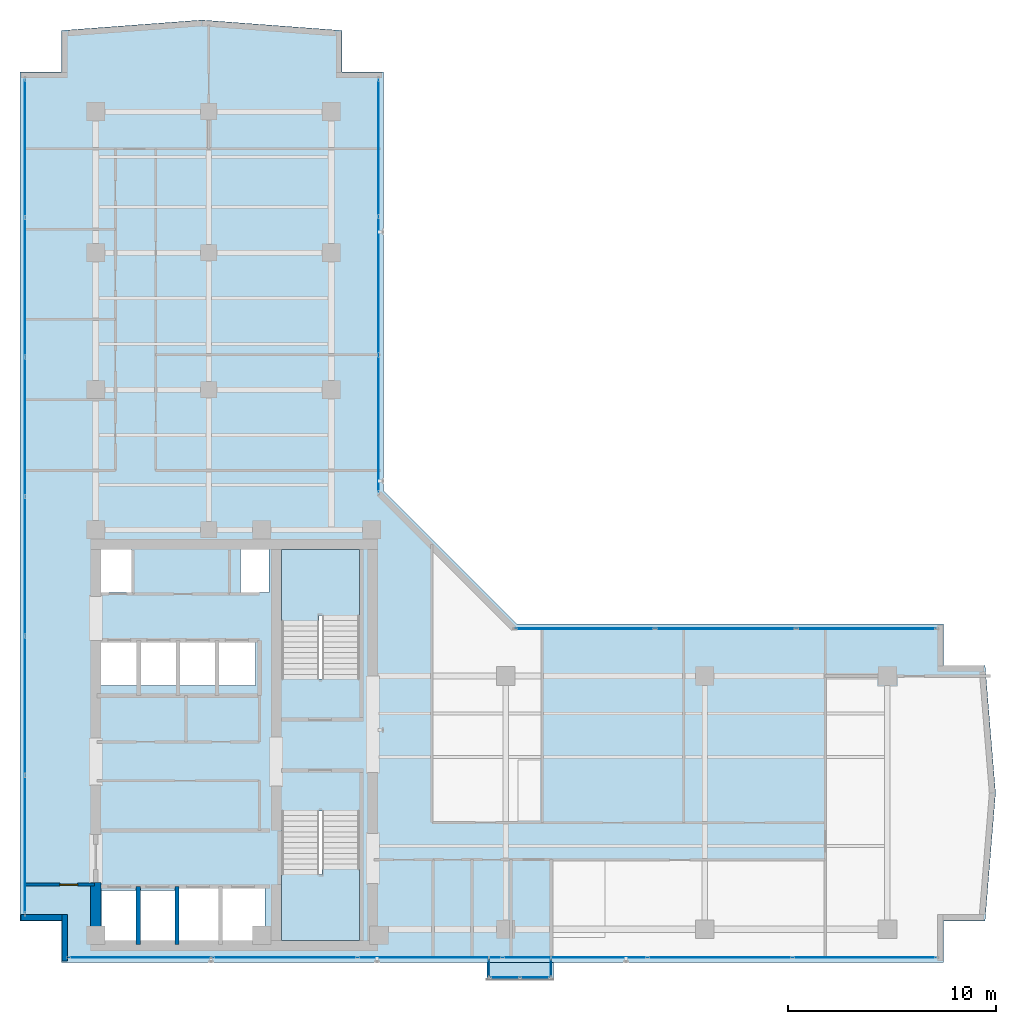
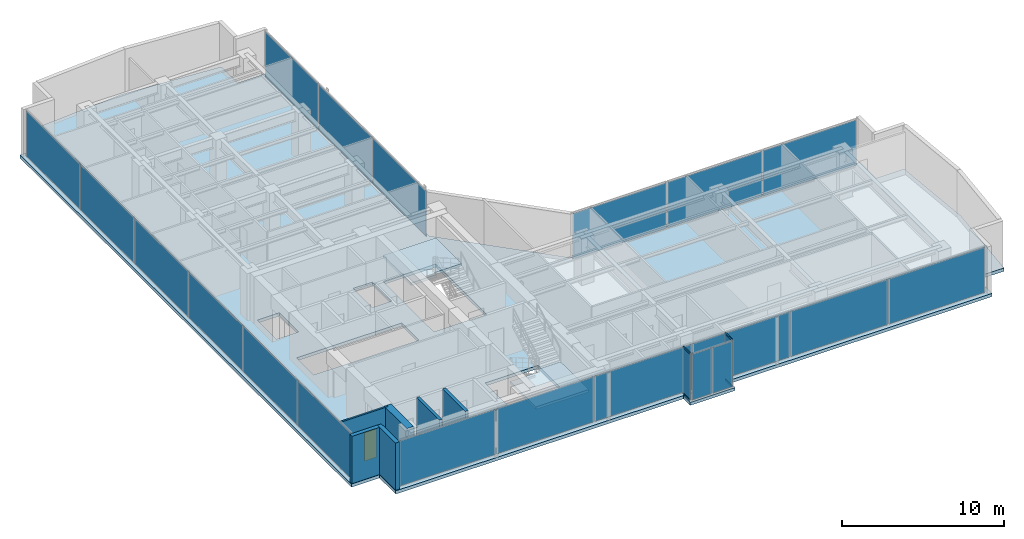
# One storey, part 16 of 24: 22 plates, 6 walls, 4 members, 4 slabs, 1 door, 1 opening, 9 elements without a shape of their own.
"""IFC4 building model written with IfcOpenShell, lengths in metres."""

import ifcopenshell
import ifcopenshell.guid

model = None  # the IFC model being written
_history = None  # IfcOwnerHistory: only IFC2X3 demands one
_inside = {}  # id of a spatial element -> (the spatial element, [elements in it])
_under = {}  # id of a project, library or spatial element -> (it, [spatial elements below it])
_declared = {}  # id of a project -> (the project, [libraries it declares])
_typed = {}  # id of a type object -> (the type object, [elements of that type])
_made_of = {}  # id of a material, layer set ... -> (it, [elements and type objects made of it])


def new_model(schema):
    """Start an empty IFC model of exactly this schema.

    Asked for "IFC4X3", IfcOpenShell would pick the latest addendum, in which some entities
    have other attributes; the version numbers below select the first issue.
    IFC2X3 requires an IfcOwnerHistory on every rooted entity: one is made here for all.
    """
    global model, _history
    if schema == "IFC4X3":
        model = ifcopenshell.file(schema_version=(4, 3, 0, 0))
    else:
        model = ifcopenshell.file(schema=schema)
    _inside.clear()
    _under.clear()
    _declared.clear()
    _typed.clear()
    _made_of.clear()
    _history = None
    if model.schema == "IFC2X3":
        org = make("IfcOrganization", Name="unknown")
        user = make(
            "IfcPersonAndOrganization",
            ThePerson=make("IfcPerson", FamilyName="unknown"),
            TheOrganization=org,
        )
        app = make(
            "IfcApplication",
            ApplicationDeveloper=org,
            Version="unknown",
            ApplicationFullName="unknown",
            ApplicationIdentifier="unknown",
        )
        _history = make(
            "IfcOwnerHistory",
            OwningUser=user,
            OwningApplication=app,
            ChangeAction="ADDED",
            CreationDate=0,
        )
    return model


def make(cls, **values):
    """One entity of the class cls with the attributes given. An attribute that is None is left unset."""
    return model.create_entity(
        cls, **{name: value for name, value in values.items() if value is not None}
    )


def rooted(cls, **values):
    """An entity with a GlobalId (a new one), such as an element, a storey or a relation."""
    return make(cls, GlobalId=ifcopenshell.guid.new(), OwnerHistory=_history, **values)


def si_unit(unit_type, name, prefix=None):
    """IfcSIUnit, for example si_unit("LENGTHUNIT", "METRE", prefix="MILLI")."""
    return make("IfcSIUnit", UnitType=unit_type, Prefix=prefix, Name=name)


def assignment(units):
    """IfcUnitAssignment: the units of a project."""
    return None if units is None else make("IfcUnitAssignment", Units=units)


def point(xyz):
    """IfcCartesianPoint."""
    return None if xyz is None else make("IfcCartesianPoint", Coordinates=xyz)


def direction(xyz):
    """IfcDirection."""
    return None if xyz is None else make("IfcDirection", DirectionRatios=xyz)


def frame(location, z_axis=None, x_axis=None):
    """IfcAxis2Placement3D, a coordinate frame: its origin and axes. An axis left out is left unset."""
    return make(
        "IfcAxis2Placement3D",
        Location=point(location),
        Axis=direction(z_axis),
        RefDirection=direction(x_axis),
    )


def frame_2d(location, x_axis=None):
    """IfcAxis2Placement2D, a coordinate frame in the plane: its origin and x axis."""
    return make(
        "IfcAxis2Placement2D", Location=point(location), RefDirection=direction(x_axis)
    )


def origin():
    """The frame at (0, 0, 0) with its axes left unset."""
    return frame((0.0, 0.0, 0.0))


def origin_with_axes():
    """The frame at (0, 0, 0) with the z axis (0, 0, 1) and the x axis (1, 0, 0) written out."""
    return frame((0.0, 0.0, 0.0), z_axis=(0.0, 0.0, 1.0), x_axis=(1.0, 0.0, 0.0))


def origin_2d():
    """The frame at (0, 0) in the plane with its x axis left unset."""
    return frame_2d((0.0, 0.0))


def place(relative_to, where):
    """IfcLocalPlacement: puts the frame where relative to a parent placement (None: the world)."""
    return make(
        "IfcLocalPlacement", PlacementRelTo=relative_to, RelativePlacement=where
    )


def context(
    kind, dimensions, precision=None, world=None, true_north=None, identifier=None
):
    """IfcGeometricRepresentationContext, for example the 3D "Model" context."""
    return make(
        "IfcGeometricRepresentationContext",
        ContextIdentifier=identifier,
        ContextType=kind,
        CoordinateSpaceDimension=dimensions,
        Precision=precision,
        WorldCoordinateSystem=world,
        TrueNorth=true_north,
    )


def subcontext(parent, identifier, kind, view, scale=None):
    """IfcGeometricRepresentationSubContext, for example "Body" below "Model"."""
    return make(
        "IfcGeometricRepresentationSubContext",
        ContextIdentifier=identifier,
        ContextType=kind,
        ParentContext=parent,
        TargetScale=scale,
        TargetView=view,
    )


def project(units=None, contexts=None):
    """IfcProject with its units and contexts."""
    return rooted(
        "IfcProject",
        Name="project",
        RepresentationContexts=contexts,
        UnitsInContext=assignment(units),
    )


def spatial(cls, under=None, at=None, **own):
    """A site, building, storey or space (cls), placed at a placement, below another one or the project."""
    s = rooted(cls, ObjectPlacement=at, **own)
    if under is not None:
        _under.setdefault(under.id(), (under, []))[1].append(s)
    return s


def polyline(points):
    """IfcPolyline through the points."""
    return make("IfcPolyline", Points=[point(p) for p in points])


def profile(cls, at=None, kind="AREA", **sizes):
    """A parametric profile (cls). Its sizes go by their IFC names, for example OverallWidth=200.0."""
    return make(cls, ProfileType=kind, Position=at, **sizes)


def rectangle(**sizes):
    """IfcRectangleProfileDef."""
    return profile("IfcRectangleProfileDef", **sizes)


def hollow_rectangle(**sizes):
    """IfcRectangleHollowProfileDef."""
    return profile("IfcRectangleHollowProfileDef", **sizes)


def outline(outer, holes=None, kind="AREA"):
    """IfcArbitraryClosedProfileDef: a profile drawn as a closed curve; with holes, ...WithVoids."""
    if holes is None:
        return make("IfcArbitraryClosedProfileDef", ProfileType=kind, OuterCurve=outer)
    return make(
        "IfcArbitraryProfileDefWithVoids",
        ProfileType=kind,
        OuterCurve=outer,
        InnerCurves=holes,
    )


def extrude(swept, where, along, depth):
    """IfcExtrudedAreaSolid: the profile swept, set in the frame where, extruded along a direction by depth."""
    return make(
        "IfcExtrudedAreaSolid",
        SweptArea=swept,
        Position=where,
        ExtrudedDirection=direction(along),
        Depth=depth,
    )


def shape(context_of_items, identifier, shape_type, items):
    """IfcShapeRepresentation: the items that make up one representation, for example the "Body"."""
    return make(
        "IfcShapeRepresentation",
        ContextOfItems=context_of_items,
        RepresentationIdentifier=identifier,
        RepresentationType=shape_type,
        Items=items,
    )


def source(mapping_origin, context_of_items, identifier, shape_type, items):
    """IfcRepresentationMap: a shape defined once, which mapped items show again and again."""
    return make(
        "IfcRepresentationMap",
        MappingOrigin=mapping_origin,
        MappedRepresentation=shape(context_of_items, identifier, shape_type, items),
    )


def transform(
    local_origin,
    x_axis=None,
    y_axis=None,
    z_axis=None,
    scale=None,
    scale2=None,
    scale3=None,
    uniform=True,
):
    """IfcCartesianTransformationOperator3D, or its non-uniform kind. x_axis, y_axis, z_axis: its Axis1, 2, 3."""
    if uniform:
        return make(
            "IfcCartesianTransformationOperator3D",
            Axis1=direction(x_axis),
            Axis2=direction(y_axis),
            LocalOrigin=point(local_origin),
            Scale=scale,
            Axis3=direction(z_axis),
        )
    return make(
        "IfcCartesianTransformationOperator3DnonUniform",
        Axis1=direction(x_axis),
        Axis2=direction(y_axis),
        LocalOrigin=point(local_origin),
        Scale=scale,
        Axis3=direction(z_axis),
        Scale2=scale2,
        Scale3=scale3,
    )


def mapped(mapping_source, mapping_target):
    """IfcMappedItem: shows the shape of a source again, moved by a transform."""
    return make(
        "IfcMappedItem", MappingSource=mapping_source, MappingTarget=mapping_target
    )


def material(Name=None, Category=None):
    """IfcMaterial."""
    return make("IfcMaterial", Name=Name, Category=Category)


def layer(
    of_material, thickness, ventilated=None, Name=None, Category=None, Priority=None
):
    """IfcMaterialLayer: one layer of a wall or slab, of a material (None: an air gap)."""
    return make(
        "IfcMaterialLayer",
        Material=of_material,
        LayerThickness=thickness,
        IsVentilated=ventilated,
        Name=Name,
        Category=Category,
        Priority=Priority,
    )


def layer_set(layers, Name=None):
    """IfcMaterialLayerSet."""
    return make("IfcMaterialLayerSet", MaterialLayers=layers, LayerSetName=Name)


def material_profile(
    of_material, cross_section, Name=None, Category=None, Priority=None
):
    """IfcMaterialProfile: a cross section and its material."""
    return make(
        "IfcMaterialProfile",
        Name=Name,
        Material=of_material,
        Profile=cross_section,
        Priority=Priority,
        Category=Category,
    )


def profile_set(profiles, Name=None, composite=None):
    """IfcMaterialProfileSet."""
    return make(
        "IfcMaterialProfileSet",
        Name=Name,
        MaterialProfiles=profiles,
        CompositeProfile=composite,
    )


def made_of(thing, what):
    """Note that an element or type object is made of a material, layer set ...; save() writes the relation."""
    if what is not None:
        _made_of.setdefault(what.id(), (what, []))[1].append(thing)
    return thing


def type_object(cls, material=None, **own):
    """A type object (cls), such as IfcWallType, which elements share."""
    return made_of(rooted(cls, **own), material)


def element(
    cls,
    number,
    at=None,
    inside=None,
    cuts=None,
    type_object=None,
    material=None,
    context=None,
    identifier="Body",
    shape_type=None,
    held_by="IfcProductDefinitionShape",
    body=None,
    shapes=None,
    **own,
):
    """One element of the class cls, such as IfcWall. Its Tag is "e" and its number.

    at: its placement. inside: the storey or other place that contains it. cuts: it is an
    opening in that element (IfcRelVoidsElement). A single representation is given by context,
    identifier, shape_type and body (its items); several are given by shapes. held_by: the class
    of the entity that holds the representations. save() writes the other relations.
    """
    e = rooted(cls, Tag="e%d" % number, ObjectPlacement=at, **own)
    if body is not None:
        shapes = [shape(context, identifier, shape_type, body)]
    if shapes is not None:
        e.Representation = make(held_by, Representations=shapes)
    if inside is not None:
        _inside.setdefault(inside.id(), (inside, []))[1].append(e)
    if cuts is not None:
        rooted(
            "IfcRelVoidsElement", RelatingBuildingElement=cuts, RelatedOpeningElement=e
        )
    if type_object is not None:
        _typed.setdefault(type_object.id(), (type_object, []))[1].append(e)
    return made_of(e, material)


def fill(opening, filler):
    """IfcRelFillsElement: the door or window that sits in an opening."""
    return rooted(
        "IfcRelFillsElement",
        RelatingOpeningElement=opening,
        RelatedBuildingElement=filler,
    )


def aggregate(whole, parts):
    """IfcRelAggregates: a whole, such as a stair, and the parts it consists of."""
    return rooted("IfcRelAggregates", RelatingObject=whole, RelatedObjects=parts)


def save(model, path):
    """Write the relations noted so far, then the file.

    IfcRelAggregates (storeys below a building ...), IfcRelContainedInSpatialStructure (elements
    in a storey), IfcRelDefinesByType, IfcRelAssociatesMaterial and IfcRelDeclares: one each for
    every whole, place, type object, material and project.
    """
    for whole, parts in _under.values():
        aggregate(whole, parts)
    for where, things in _inside.values():
        rooted(
            "IfcRelContainedInSpatialStructure",
            RelatedElements=things,
            RelatingStructure=where,
        )
    for kind, things in _typed.values():
        rooted("IfcRelDefinesByType", RelatedObjects=things, RelatingType=kind)
    for what, things in _made_of.values():
        rooted("IfcRelAssociatesMaterial", RelatedObjects=things, RelatingMaterial=what)
    for by, libraries in _declared.values():
        rooted("IfcRelDeclares", RelatingContext=by, RelatedDefinitions=libraries)
    model.write(path)


model = new_model("IFC4")

# Units and contexts
model_context = context("Model", 3, precision=1e-05, world=origin(), true_north=direction((0.0, 1.0)))
body_context = subcontext(model_context, "Body", "Model", "MODEL_VIEW")
ifc_project = project(units=[si_unit("LENGTHUNIT", "METRE"), si_unit("AREAUNIT", "SQUARE_METRE"), si_unit("VOLUMEUNIT", "CUBIC_METRE"), si_unit("PLANEANGLEUNIT", "RADIAN"), si_unit("MASSUNIT", "GRAM", prefix="KILO")], contexts=[model_context])

# Site, building, storey
site_placement = place(None, origin())
site = spatial("IfcSite", under=ifc_project, at=site_placement, CompositionType="ELEMENT")
building_placement = place(site_placement, origin())
building = spatial("IfcBuilding", under=site, at=building_placement, Name="Kolvaren Waterfront Exchange", CompositionType="ELEMENT")
storey_placement = place(building_placement, frame((0.0, 0.0, 293.199951171875)))
storey = spatial("IfcBuildingStorey", under=building, at=storey_placement, Name="L75", CompositionType="ELEMENT", Elevation=293.199951171875)

# Curtain wall, members
ifc_material_1 = material(Name="Anodised bronze aluminium 6063-T6", Category="aluminium")
ifc_layer_1 = layer(ifc_material_1, 0.219970703125, Name="Anodised bronze aluminium 6063-T6")
ifc_layer_set_1 = layer_set([ifc_layer_1], Name="Anodised bronze aluminium 6063-T6")
curtain_wall_type_1 = type_object("IfcCurtainWallType", Name="ARC-CW-SYS3", PredefinedType="USERDEFINED", material=ifc_layer_set_1)
curtain_wall_1_placement = place(storey_placement, origin())
curtain_wall_1 = element("IfcCurtainWall", 1, at=curtain_wall_1_placement, inside=storey, type_object=curtain_wall_type_1, Name="L75 stick curtain wall CW3 (CW-L75-BOX-W)", ObjectType="STICK CURTAIN WALL", PredefinedType="USERDEFINED")
ifc_material_profile = material_profile(ifc_material_1, hollow_rectangle(XDim=0.06494140625, YDim=0.1298828125, WallThickness=0.00390625, at=origin_2d()), Name="ALU-TRN-130x65x4")
ifc_profile_set = profile_set([ifc_material_profile], Name="Anodised bronze aluminium 6063-T6")
member_type = type_object("IfcMemberType", Name="ARC-CWT-130", PredefinedType="USERDEFINED", material=ifc_profile_set)
shared_shape_1 = source(origin_with_axes(), body_context, "Body", "SweptSolid", [
    extrude(hollow_rectangle(XDim=0.06494140625, YDim=0.1298828125, WallThickness=0.00390625, at=origin_2d()), origin(), (0.0, 0.0, 1.0), 0.829833984375),
])
member_1_placement = place(storey_placement, frame((26.409912109375, 3.764892578125, 0.032470703125), z_axis=(0.0, -1.0, 0.0), x_axis=(1.0, 0.0, 0.0)))
member_1 = element("IfcMember", 2, at=member_1_placement, type_object=member_type, Name="CW3 transom 1.1", ObjectType="TRANSOM", PredefinedType="USERDEFINED", context=body_context, shape_type="MappedRepresentation", body=[
    mapped(shared_shape_1, transform((0.0, 0.0, 0.0), x_axis=(1.0, 0.0, 0.0), y_axis=(0.0, 1.0, 0.0), z_axis=(0.0, 0.0, 1.0), scale=1.0)),
])
member_2_placement = place(storey_placement, frame((26.409912109375, 3.764892578125, 3.527587890625), z_axis=(0.0, -1.0, 0.0), x_axis=(1.0, 0.0, 0.0)))
member_2 = element("IfcMember", 3, at=member_2_placement, type_object=member_type, Name="CW3 transom 1.2", ObjectType="TRANSOM", PredefinedType="USERDEFINED", context=body_context, shape_type="MappedRepresentation", body=[
    mapped(shared_shape_1, transform((0.0, 0.0, 0.0), x_axis=(1.0, 0.0, 0.0), y_axis=(0.0, 1.0, 0.0), z_axis=(0.0, 0.0, 1.0), scale=1.0)),
])

curtain_wall_2_placement = place(storey_placement, origin())
curtain_wall_2 = element("IfcCurtainWall", 4, at=curtain_wall_2_placement, inside=storey, type_object=curtain_wall_type_1, Name="L75 stick curtain wall CW3 (CW-L75-BOX-E)", ObjectType="STICK CURTAIN WALL", PredefinedType="USERDEFINED")
member_3_placement = place(storey_placement, frame((29.389892578125, 2.93505859375, 0.032470703125), z_axis=(0.0, 1.0, 0.0), x_axis=(-1.0, 0.0, 0.0)))
member_3 = element("IfcMember", 5, at=member_3_placement, type_object=member_type, Name="CW3 transom 1.1", ObjectType="TRANSOM", PredefinedType="USERDEFINED", context=body_context, shape_type="MappedRepresentation", body=[
    mapped(shared_shape_1, transform((0.0, 0.0, 0.0), x_axis=(1.0, 0.0, 0.0), y_axis=(0.0, 1.0, 0.0), z_axis=(0.0, 0.0, 1.0), scale=1.0)),
])
member_4_placement = place(storey_placement, frame((29.389892578125, 2.93505859375, 3.527587890625), z_axis=(0.0, 1.0, 0.0), x_axis=(-1.0, 0.0, 0.0)))
member_4 = element("IfcMember", 6, at=member_4_placement, type_object=member_type, Name="CW3 transom 1.2", ObjectType="TRANSOM", PredefinedType="USERDEFINED", context=body_context, shape_type="MappedRepresentation", body=[
    mapped(shared_shape_1, transform((0.0, 0.0, 0.0), x_axis=(1.0, 0.0, 0.0), y_axis=(0.0, 1.0, 0.0), z_axis=(0.0, 0.0, 1.0), scale=1.0)),
])

# Stair, slab
ifc_material_2 = material(Name="Concrete C40/50", Category="concrete")
stair_type = type_object("IfcStairType", Name="ARC-STAIR-3800", PredefinedType="HALF_TURN_STAIR", material=ifc_material_2)
stair_1_placement = place(storey_placement, origin())
stair_1 = element("IfcStair", 7, at=stair_1_placement, inside=storey, type_object=stair_type, Name="L75 Smoke-proof exit stair ST1", PredefinedType="HALF_TURN_STAIR")
ifc_layer_2 = layer(ifc_material_2, 0.199951171875, Name="Concrete C40/50")
ifc_layer_set_2 = layer_set([ifc_layer_2], Name="Concrete C40/50")
slab_type_1 = type_object("IfcSlabType", Name="STR-LANDING-200", PredefinedType="LANDING", material=ifc_layer_set_2)
slab_1_placement = place(storey_placement, frame((0.0, 0.0, 1.776123046875)))
slab_1 = element("IfcSlab", 8, at=slab_1_placement, type_object=slab_type_1, Name="ST1 landing 1", PredefinedType="LANDING", context=body_context, shape_type="SweptSolid", body=[
    extrude(outline(polyline([(16.39990234375, 7.840087890625), (16.39990234375, 4.64990234375), (20.159912109375, 4.64990234375), (20.159912109375, 8.10009765625), (18.360107421875, 8.10009765625), (18.360107421875, 7.840087890625), (16.39990234375, 7.840087890625)])), origin(), (0.0, 0.0, 1.0), 0.199951171875),
])
aggregate(stair_1, [slab_1])

stair_2_placement = place(storey_placement, origin())
stair_2 = element("IfcStair", 9, at=stair_2_placement, inside=storey, type_object=stair_type, Name="L75 Smoke-proof exit stair ST2", PredefinedType="HALF_TURN_STAIR")
slab_2_placement = place(storey_placement, frame((0.0, 0.0, 1.776123046875)))
slab_2 = element("IfcSlab", 10, at=slab_2_placement, type_object=slab_type_1, Name="ST2 landing 1", PredefinedType="LANDING", context=body_context, shape_type="SweptSolid", body=[
    extrude(outline(polyline([(20.159912109375, 20.31005859375), (20.159912109375, 23.5), (16.39990234375, 23.5), (16.39990234375, 20.050048828125), (18.199951171875, 20.050048828125), (18.199951171875, 20.31005859375), (20.159912109375, 20.31005859375)])), origin(), (0.0, 0.0, 1.0), 0.199951171875),
])
aggregate(stair_2, [slab_2])

# Slabs
ifc_layer_3 = layer(ifc_material_2, 0.239990234375, Name="Concrete C40/50")
ifc_layer_set_3 = layer_set([ifc_layer_3], Name="Concrete C40/50")
slab_type_2 = type_object("IfcSlabType", Name="STR-SLAB-240", PredefinedType="FLOOR", material=ifc_layer_set_3)
slab_3_placement = place(storey_placement, frame((0.0, 0.0, -0.239990234375)))
element("IfcSlab", 11, at=slab_3_placement, inside=storey, type_object=slab_type_2, Name="L75 structural floor slab", PredefinedType="FLOOR", context=body_context, shape_type="SweptSolid", body=[
    extrude(outline(polyline([(5.800048828125, 3.60009765625), (48.305419921875, 3.60009765625), (48.305419921875, 5.60009765625), (50.305419921875, 5.60009765625), (50.810546875, 11.7578125), (50.305419921875, 17.915771484375), (48.305419921875, 17.915771484375), (48.305419921875, 19.915771484375), (27.7158203125, 19.915771484375), (21.31591796875, 26.31591796875), (21.31591796875, 46.50537109375), (19.31591796875, 46.50537109375), (19.31591796875, 48.50537109375), (12.557861328125, 49.010498046875), (5.800048828125, 48.50537109375), (5.800048828125, 46.50537109375), (3.800048828125, 46.50537109375), (3.800048828125, 5.60009765625), (5.800048828125, 5.60009765625), (5.800048828125, 3.60009765625)]), holes=[polyline([(11.320068359375, 7.260009765625), (15.610107421875, 7.260009765625), (15.610107421875, 4.5400390625), (7.719970703125, 4.5400390625), (7.719970703125, 7.06005859375), (11.320068359375, 7.06005859375), (11.320068359375, 7.260009765625)]), polyline([(20.159912109375, 10.89990234375), (20.159912109375, 4.64990234375), (16.39990234375, 4.64990234375), (16.39990234375, 10.89990234375), (20.159912109375, 10.89990234375)]), polyline([(7.669921875, 19.06005859375), (15.159912109375, 19.06005859375), (15.159912109375, 16.93994140625), (7.669921875, 16.93994140625), (7.669921875, 19.06005859375)]), polyline([(16.39990234375, 17.25), (16.39990234375, 23.5), (20.159912109375, 23.5), (20.159912109375, 17.25), (16.39990234375, 17.25)]), polyline([(7.60009765625, 23.780029296875), (9.179931640625, 23.780029296875), (9.179931640625, 21.419921875), (7.60009765625, 21.419921875), (7.60009765625, 23.780029296875)]), polyline([(14.419921875, 23.780029296875), (15.800048828125, 23.780029296875), (15.800048828125, 21.419921875), (14.419921875, 21.419921875), (14.419921875, 23.780029296875)])]), origin(), (0.0, 0.0, 1.0), 0.239990234375),
])
ifc_layer_4 = layer(ifc_material_2, 0.219970703125, Name="Concrete C40/50")
ifc_layer_set_4 = layer_set([ifc_layer_4], Name="Concrete C40/50")
slab_type_3 = type_object("IfcSlabType", Name="STR-TERR-220", PredefinedType="FLOOR", material=ifc_layer_set_4)
slab_4_placement = place(storey_placement, frame((0.0, 0.0, -0.219970703125)))
element("IfcSlab", 12, at=slab_4_placement, inside=storey, type_object=slab_type_3, Name="L75 projecting bay-box floor strip", PredefinedType="FLOOR", context=body_context, shape_type="SweptSolid", body=[
    extrude(outline(polyline([(26.300048828125, 2.75), (29.5, 2.75), (29.5, 3.60009765625), (26.300048828125, 3.60009765625), (26.300048828125, 2.75)])), origin(), (0.0, 0.0, 1.0), 0.219970703125),
])

# Plate
ifc_material_3 = material(Name="Bronze tinted bay-box vision glass", Category="aluminium")
ifc_layer_5 = layer(ifc_material_3, 0.02392578125, Name="Bronze tinted bay-box vision glass")
ifc_layer_set_5 = layer_set([ifc_layer_5], Name="Bronze tinted bay-box vision glass")
plate_type_1 = type_object("IfcPlateType", Name="ARC-CWP-24", PredefinedType="CURTAIN_PANEL", material=ifc_layer_set_5)
shared_shape_2 = source(origin_with_axes(), body_context, "Body", "SweptSolid", [
    extrude(rectangle(XDim=0.830078125, YDim=0.02392578125, at=origin_2d()), origin(), (0.0, 0.0, 1.0), 3.429931640625),
])
plate_1_placement = place(storey_placement, frame((26.409912109375, 3.35009765625, 0.06494140625), z_axis=(0.0, 0.0, 1.0), x_axis=(0.0, -1.0, 0.0)))
plate_1 = element("IfcPlate", 13, at=plate_1_placement, type_object=plate_type_1, Name="CW3 panel 1.1", PredefinedType="CURTAIN_PANEL", context=body_context, shape_type="MappedRepresentation", body=[
    mapped(shared_shape_2, transform((0.0, 0.0, 0.0), x_axis=(1.0, 0.0, 0.0), y_axis=(0.0, 1.0, 0.0), z_axis=(0.0, 0.0, 1.0), scale=1.0)),
])

aggregate(curtain_wall_1, [member_1, member_2, plate_1])

plate_2_placement = place(storey_placement, frame((29.389892578125, 3.35009765625, 0.06494140625), z_axis=(0.0, 0.0, 1.0), x_axis=(0.0, 1.0, 0.0)))
plate_2 = element("IfcPlate", 14, at=plate_2_placement, type_object=plate_type_1, Name="CW3 panel 1.1", PredefinedType="CURTAIN_PANEL", context=body_context, shape_type="MappedRepresentation", body=[
    mapped(shared_shape_2, transform((0.0, 0.0, 0.0), x_axis=(1.0, 0.0, 0.0), y_axis=(0.0, 1.0, 0.0), z_axis=(0.0, 0.0, 1.0), scale=1.0)),
])

aggregate(curtain_wall_2, [member_3, member_4, plate_2])

# Curtain wall, plates
curtain_wall_3_placement = place(storey_placement, origin())
curtain_wall_3 = element("IfcCurtainWall", 15, at=curtain_wall_3_placement, inside=storey, type_object=curtain_wall_type_1, Name="L75 stick curtain wall CW3 (CW-L75-BOX)", ObjectType="STICK CURTAIN WALL", PredefinedType="USERDEFINED")
shared_shape_3 = source(origin_with_axes(), body_context, "Body", "SweptSolid", [
    extrude(rectangle(XDim=1.37744140625, YDim=0.02392578125, at=origin_2d()), origin(), (0.0, 0.0, 1.0), 3.429931640625),
])
plate_3_placement = place(storey_placement, frame((27.173828125, 2.860107421875, 0.06494140625), z_axis=(0.0, 0.0, 1.0), x_axis=(1.0, 0.0, 0.0)))
plate_3 = element("IfcPlate", 16, at=plate_3_placement, type_object=plate_type_1, Name="CW3 panel 1.1", PredefinedType="CURTAIN_PANEL", context=body_context, shape_type="MappedRepresentation", body=[
    mapped(shared_shape_3, transform((0.0, 0.0, 0.0), x_axis=(1.0, 0.0, 0.0), y_axis=(0.0, 1.0, 0.0), z_axis=(0.0, 0.0, 1.0), scale=1.0)),
])
plate_4_placement = place(storey_placement, frame((28.626220703125, 2.860107421875, 0.06494140625), z_axis=(0.0, 0.0, 1.0), x_axis=(1.0, 0.0, 0.0)))
plate_4 = element("IfcPlate", 17, at=plate_4_placement, type_object=plate_type_1, Name="CW3 panel 2.1", PredefinedType="CURTAIN_PANEL", context=body_context, shape_type="MappedRepresentation", body=[
    mapped(shared_shape_3, transform((0.0, 0.0, 0.0), x_axis=(1.0, 0.0, 0.0), y_axis=(0.0, 1.0, 0.0), z_axis=(0.0, 0.0, 1.0), scale=1.0)),
])
aggregate(curtain_wall_3, [plate_3, plate_4])

ifc_layer_6 = layer(ifc_material_1, 0.219970703125, Name="Anodised bronze aluminium 6063-T6")
ifc_layer_set_6 = layer_set([ifc_layer_6], Name="Anodised bronze aluminium 6063-T6")
curtain_wall_type_2 = type_object("IfcCurtainWallType", Name="ARC-CW-SYS1", PredefinedType="USERDEFINED", material=ifc_layer_set_6)
curtain_wall_4_placement = place(storey_placement, origin())
curtain_wall_4 = element("IfcCurtainWall", 18, at=curtain_wall_4_placement, inside=storey, type_object=curtain_wall_type_2, Name="L75 stick curtain wall CW1 (CW-L75-S)", ObjectType="STICK CURTAIN WALL", PredefinedType="USERDEFINED")
ifc_material_4 = material(Name="Bronze solar control vision glass", Category="aluminium")
ifc_layer_7 = layer(ifc_material_4, 0.028076171875, Name="Bronze solar control vision glass")
ifc_layer_set_7 = layer_set([ifc_layer_7], Name="Bronze solar control vision glass")
plate_type_2 = type_object("IfcPlateType", Name="ARC-CWP-28", PredefinedType="CURTAIN_PANEL", material=ifc_layer_set_7)
shared_shape_4 = source(origin_with_axes(), body_context, "Body", "SweptSolid", [
    extrude(rectangle(XDim=6.8642578125, YDim=0.028076171875, at=origin_2d()), origin(), (0.0, 0.0, 1.0), 3.409912109375),
])
plate_5_placement = place(storey_placement, frame((9.612060546875, 3.840087890625, 0.0751953125), z_axis=(0.0, 0.0, 1.0), x_axis=(1.0, 0.0, 0.0)))
plate_5 = element("IfcPlate", 19, at=plate_5_placement, type_object=plate_type_2, Name="CW1 panel 1.1", PredefinedType="CURTAIN_PANEL", context=body_context, shape_type="MappedRepresentation", body=[
    mapped(shared_shape_4, transform((0.0, 0.0, 0.0), x_axis=(1.0, 0.0, 0.0), y_axis=(0.0, 1.0, 0.0), z_axis=(0.0, 0.0, 1.0), scale=1.0)),
])
plate_6_placement = place(storey_placement, frame((44.4931640625, 3.840087890625, 0.0751953125), z_axis=(0.0, 0.0, 1.0), x_axis=(1.0, 0.0, 0.0)))
plate_6 = element("IfcPlate", 20, at=plate_6_placement, type_object=plate_type_2, Name="CW1 panel 6.1", PredefinedType="CURTAIN_PANEL", context=body_context, shape_type="MappedRepresentation", body=[
    mapped(shared_shape_4, transform((0.0, 0.0, 0.0), x_axis=(1.0, 0.0, 0.0), y_axis=(0.0, 1.0, 0.0), z_axis=(0.0, 0.0, 1.0), scale=1.0)),
])
shared_shape_5 = source(origin_with_axes(), body_context, "Body", "SweptSolid", [
    extrude(rectangle(XDim=6.904296875, YDim=0.028076171875, at=origin_2d()), origin(), (0.0, 0.0, 1.0), 3.409912109375),
])
plate_7_placement = place(storey_placement, frame((16.576416015625, 3.840087890625, 0.0751953125), z_axis=(0.0, 0.0, 1.0), x_axis=(1.0, 0.0, 0.0)))
plate_7 = element("IfcPlate", 21, at=plate_7_placement, type_object=plate_type_2, Name="CW1 panel 2.1", PredefinedType="CURTAIN_PANEL", context=body_context, shape_type="MappedRepresentation", body=[
    mapped(shared_shape_5, transform((0.0, 0.0, 0.0), x_axis=(1.0, 0.0, 0.0), y_axis=(0.0, 1.0, 0.0), z_axis=(0.0, 0.0, 1.0), scale=1.0)),
])
plate_8_placement = place(storey_placement, frame((23.560546875, 3.840087890625, 0.0751953125), z_axis=(0.0, 0.0, 1.0), x_axis=(1.0, 0.0, 0.0)))
plate_8 = element("IfcPlate", 22, at=plate_8_placement, type_object=plate_type_2, Name="CW1 panel 3.1", PredefinedType="CURTAIN_PANEL", context=body_context, shape_type="MappedRepresentation", body=[
    mapped(shared_shape_5, transform((0.0, 0.0, 0.0), x_axis=(1.0, 0.0, 0.0), y_axis=(0.0, 1.0, 0.0), z_axis=(0.0, 0.0, 1.0), scale=1.0)),
])
plate_9_placement = place(storey_placement, frame((30.544677734375, 3.840087890625, 0.0751953125), z_axis=(0.0, 0.0, 1.0), x_axis=(1.0, 0.0, 0.0)))
plate_9 = element("IfcPlate", 23, at=plate_9_placement, type_object=plate_type_2, Name="CW1 panel 4.1", PredefinedType="CURTAIN_PANEL", context=body_context, shape_type="MappedRepresentation", body=[
    mapped(shared_shape_5, transform((0.0, 0.0, 0.0), x_axis=(1.0, 0.0, 0.0), y_axis=(0.0, 1.0, 0.0), z_axis=(0.0, 0.0, 1.0), scale=1.0)),
])
plate_10_placement = place(storey_placement, frame((37.529052734375, 3.840087890625, 0.0751953125), z_axis=(0.0, 0.0, 1.0), x_axis=(1.0, 0.0, 0.0)))
plate_10 = element("IfcPlate", 24, at=plate_10_placement, type_object=plate_type_2, Name="CW1 panel 5.1", PredefinedType="CURTAIN_PANEL", context=body_context, shape_type="MappedRepresentation", body=[
    mapped(shared_shape_5, transform((0.0, 0.0, 0.0), x_axis=(1.0, 0.0, 0.0), y_axis=(0.0, 1.0, 0.0), z_axis=(0.0, 0.0, 1.0), scale=1.0)),
])
aggregate(curtain_wall_4, [plate_5, plate_7, plate_8, plate_9, plate_10, plate_6])

ifc_material_5 = material(Name="Anodised aluminium 6063-T6", Category="aluminium")
ifc_layer_8 = layer(ifc_material_5, 0.219970703125, Name="Anodised aluminium 6063-T6")
ifc_layer_set_8 = layer_set([ifc_layer_8], Name="Anodised aluminium 6063-T6")
curtain_wall_type_3 = type_object("IfcCurtainWallType", Name="ARC-CW-SYS2", PredefinedType="USERDEFINED", material=ifc_layer_set_8)
curtain_wall_5_placement = place(storey_placement, origin())
curtain_wall_5 = element("IfcCurtainWall", 25, at=curtain_wall_5_placement, inside=storey, type_object=curtain_wall_type_3, Name="L75 stick curtain wall CW2 (CW-L75-W)", ObjectType="STICK CURTAIN WALL", PredefinedType="USERDEFINED")
ifc_material_6 = material(Name="Acoustic laminated vision glass", Category="glass")
ifc_layer_9 = layer(ifc_material_6, 0.031982421875, Name="Acoustic laminated vision glass")
ifc_layer_set_9 = layer_set([ifc_layer_9], Name="Acoustic laminated vision glass")
plate_type_3 = type_object("IfcPlateType", Name="ARC-CWP-32", PredefinedType="CURTAIN_PANEL", material=ifc_layer_set_9)
shared_shape_6 = source(origin_with_axes(), body_context, "Body", "SweptSolid", [
    extrude(rectangle(XDim=6.59765625, YDim=0.031982421875, at=origin_2d()), origin(), (0.0, 0.0, 1.0), 3.409912109375),
])
plate_11_placement = place(storey_placement, frame((4.0400390625, 9.27880859375, 0.0751953125), z_axis=(0.0, 0.0, 1.0), x_axis=(0.0, 1.0, 0.0)))
plate_11 = element("IfcPlate", 26, at=plate_11_placement, type_object=plate_type_3, Name="CW2 panel 1.1", PredefinedType="CURTAIN_PANEL", context=body_context, shape_type="MappedRepresentation", body=[
    mapped(shared_shape_6, transform((0.0, 0.0, 0.0), x_axis=(1.0, 0.0, 0.0), y_axis=(0.0, 1.0, 0.0), z_axis=(0.0, 0.0, 1.0), scale=1.0)),
])
plate_12_placement = place(storey_placement, frame((4.0400390625, 42.826416015625, 0.0751953125), z_axis=(0.0, 0.0, 1.0), x_axis=(0.0, 1.0, 0.0)))
plate_12 = element("IfcPlate", 27, at=plate_12_placement, type_object=plate_type_3, Name="CW2 panel 6.1", PredefinedType="CURTAIN_PANEL", context=body_context, shape_type="MappedRepresentation", body=[
    mapped(shared_shape_6, transform((0.0, 0.0, 0.0), x_axis=(1.0, 0.0, 0.0), y_axis=(0.0, 1.0, 0.0), z_axis=(0.0, 0.0, 1.0), scale=1.0)),
])
shared_shape_7 = source(origin_with_axes(), body_context, "Body", "SweptSolid", [
    extrude(rectangle(XDim=6.637451171875, YDim=0.031982421875, at=origin_2d()), origin(), (0.0, 0.0, 1.0), 3.409912109375),
])
plate_13_placement = place(storey_placement, frame((4.0400390625, 15.976318359375, 0.0751953125), z_axis=(0.0, 0.0, 1.0), x_axis=(0.0, 1.0, 0.0)))
plate_13 = element("IfcPlate", 28, at=plate_13_placement, type_object=plate_type_3, Name="CW2 panel 2.1", PredefinedType="CURTAIN_PANEL", context=body_context, shape_type="MappedRepresentation", body=[
    mapped(shared_shape_7, transform((0.0, 0.0, 0.0), x_axis=(1.0, 0.0, 0.0), y_axis=(0.0, 1.0, 0.0), z_axis=(0.0, 0.0, 1.0), scale=1.0)),
])
plate_14_placement = place(storey_placement, frame((4.0400390625, 22.69384765625, 0.0751953125), z_axis=(0.0, 0.0, 1.0), x_axis=(0.0, 1.0, 0.0)))
plate_14 = element("IfcPlate", 29, at=plate_14_placement, type_object=plate_type_3, Name="CW2 panel 3.1", PredefinedType="CURTAIN_PANEL", context=body_context, shape_type="MappedRepresentation", body=[
    mapped(shared_shape_7, transform((0.0, 0.0, 0.0), x_axis=(1.0, 0.0, 0.0), y_axis=(0.0, 1.0, 0.0), z_axis=(0.0, 0.0, 1.0), scale=1.0)),
])
plate_15_placement = place(storey_placement, frame((4.0400390625, 29.411376953125, 0.0751953125), z_axis=(0.0, 0.0, 1.0), x_axis=(0.0, 1.0, 0.0)))
plate_15 = element("IfcPlate", 30, at=plate_15_placement, type_object=plate_type_3, Name="CW2 panel 4.1", PredefinedType="CURTAIN_PANEL", context=body_context, shape_type="MappedRepresentation", body=[
    mapped(shared_shape_7, transform((0.0, 0.0, 0.0), x_axis=(1.0, 0.0, 0.0), y_axis=(0.0, 1.0, 0.0), z_axis=(0.0, 0.0, 1.0), scale=1.0)),
])
plate_16_placement = place(storey_placement, frame((4.0400390625, 36.12890625, 0.0751953125), z_axis=(0.0, 0.0, 1.0), x_axis=(0.0, 1.0, 0.0)))
plate_16 = element("IfcPlate", 31, at=plate_16_placement, type_object=plate_type_3, Name="CW2 panel 5.1", PredefinedType="CURTAIN_PANEL", context=body_context, shape_type="MappedRepresentation", body=[
    mapped(shared_shape_7, transform((0.0, 0.0, 0.0), x_axis=(1.0, 0.0, 0.0), y_axis=(0.0, 1.0, 0.0), z_axis=(0.0, 0.0, 1.0), scale=1.0)),
])
aggregate(curtain_wall_5, [plate_11, plate_13, plate_14, plate_15, plate_16, plate_12])

curtain_wall_6_placement = place(storey_placement, origin())
curtain_wall_6 = element("IfcCurtainWall", 32, at=curtain_wall_6_placement, inside=storey, type_object=curtain_wall_type_2, Name="L75 stick curtain wall CW1 (CW-L75-NE)", ObjectType="STICK CURTAIN WALL", PredefinedType="USERDEFINED")
shared_shape_8 = source(origin_with_axes(), body_context, "Body", "SweptSolid", [
    extrude(rectangle(XDim=6.54638671875, YDim=0.028076171875, at=origin_2d()), origin(), (0.0, 0.0, 1.0), 3.409912109375),
])
plate_17_placement = place(storey_placement, frame((21.07568359375, 29.55908203125, 0.0751953125), z_axis=(0.0, 0.0, 1.0), x_axis=(0.0, 1.0, 0.0)))
plate_17 = element("IfcPlate", 33, at=plate_17_placement, type_object=plate_type_2, Name="CW1 panel 1.1", PredefinedType="CURTAIN_PANEL", context=body_context, shape_type="MappedRepresentation", body=[
    mapped(shared_shape_8, transform((0.0, 0.0, 0.0), x_axis=(1.0, 0.0, 0.0), y_axis=(0.0, 1.0, 0.0), z_axis=(0.0, 0.0, 1.0), scale=1.0)),
])
plate_18_placement = place(storey_placement, frame((21.07568359375, 42.85205078125, 0.0751953125), z_axis=(0.0, 0.0, 1.0), x_axis=(0.0, 1.0, 0.0)))
plate_18 = element("IfcPlate", 34, at=plate_18_placement, type_object=plate_type_2, Name="CW1 panel 3.1", PredefinedType="CURTAIN_PANEL", context=body_context, shape_type="MappedRepresentation", body=[
    mapped(shared_shape_8, transform((0.0, 0.0, 0.0), x_axis=(1.0, 0.0, 0.0), y_axis=(0.0, 1.0, 0.0), z_axis=(0.0, 0.0, 1.0), scale=1.0)),
])
shared_shape_9 = source(origin_with_axes(), body_context, "Body", "SweptSolid", [
    extrude(rectangle(XDim=6.58642578125, YDim=0.028076171875, at=origin_2d()), origin(), (0.0, 0.0, 1.0), 3.409912109375),
])
plate_19_placement = place(storey_placement, frame((21.07568359375, 36.20556640625, 0.0751953125), z_axis=(0.0, 0.0, 1.0), x_axis=(0.0, 1.0, 0.0)))
plate_19 = element("IfcPlate", 35, at=plate_19_placement, type_object=plate_type_2, Name="CW1 panel 2.1", PredefinedType="CURTAIN_PANEL", context=body_context, shape_type="MappedRepresentation", body=[
    mapped(shared_shape_9, transform((0.0, 0.0, 0.0), x_axis=(1.0, 0.0, 0.0), y_axis=(0.0, 1.0, 0.0), z_axis=(0.0, 0.0, 1.0), scale=1.0)),
])
aggregate(curtain_wall_6, [plate_17, plate_19, plate_18])

curtain_wall_7_placement = place(storey_placement, origin())
curtain_wall_7 = element("IfcCurtainWall", 36, at=curtain_wall_7_placement, inside=storey, type_object=curtain_wall_type_2, Name="L75 stick curtain wall CW1 (CW-L75-EN)", ObjectType="STICK CURTAIN WALL", PredefinedType="USERDEFINED")
shared_shape_10 = source(origin_with_axes(), body_context, "Body", "SweptSolid", [
    extrude(rectangle(XDim=6.679931640625, YDim=0.028076171875, at=origin_2d()), origin(), (0.0, 0.0, 1.0), 3.409912109375),
])
plate_20_placement = place(storey_placement, frame((31.025634765625, 19.67578125, 0.0751953125), z_axis=(0.0, 0.0, 1.0), x_axis=(1.0, 0.0, 0.0)))
plate_20 = element("IfcPlate", 37, at=plate_20_placement, type_object=plate_type_2, Name="CW1 panel 1.1", PredefinedType="CURTAIN_PANEL", context=body_context, shape_type="MappedRepresentation", body=[
    mapped(shared_shape_10, transform((0.0, 0.0, 0.0), x_axis=(1.0, 0.0, 0.0), y_axis=(0.0, 1.0, 0.0), z_axis=(0.0, 0.0, 1.0), scale=1.0)),
])
plate_21_placement = place(storey_placement, frame((44.58544921875, 19.67578125, 0.0751953125), z_axis=(0.0, 0.0, 1.0), x_axis=(1.0, 0.0, 0.0)))
plate_21 = element("IfcPlate", 38, at=plate_21_placement, type_object=plate_type_2, Name="CW1 panel 3.1", PredefinedType="CURTAIN_PANEL", context=body_context, shape_type="MappedRepresentation", body=[
    mapped(shared_shape_10, transform((0.0, 0.0, 0.0), x_axis=(1.0, 0.0, 0.0), y_axis=(0.0, 1.0, 0.0), z_axis=(0.0, 0.0, 1.0), scale=1.0)),
])
shared_shape_11 = source(origin_with_axes(), body_context, "Body", "SweptSolid", [
    extrude(rectangle(XDim=6.7197265625, YDim=0.028076171875, at=origin_2d()), origin(), (0.0, 0.0, 1.0), 3.409912109375),
])
plate_22_placement = place(storey_placement, frame((37.8056640625, 19.67578125, 0.0751953125), z_axis=(0.0, 0.0, 1.0), x_axis=(1.0, 0.0, 0.0)))
plate_22 = element("IfcPlate", 39, at=plate_22_placement, type_object=plate_type_2, Name="CW1 panel 2.1", PredefinedType="CURTAIN_PANEL", context=body_context, shape_type="MappedRepresentation", body=[
    mapped(shared_shape_11, transform((0.0, 0.0, 0.0), x_axis=(1.0, 0.0, 0.0), y_axis=(0.0, 1.0, 0.0), z_axis=(0.0, 0.0, 1.0), scale=1.0)),
])
aggregate(curtain_wall_7, [plate_20, plate_22, plate_21])

# Walls
ifc_material_7 = material(Name="Precast concrete C40/50", Category="concrete")
ifc_layer_10 = layer(ifc_material_7, 0.280029296875, Name="Precast concrete C40/50")
ifc_layer_set_10 = layer_set([ifc_layer_10], Name="Precast concrete C40/50")
wall_type_1 = type_object("IfcWallType", Name="ARC-EXT-TERR-280", PredefinedType="SOLIDWALL", material=ifc_layer_set_10)
wall_1_placement = place(storey_placement, frame((5.9599609375, 3.659912109375, 0.0), z_axis=(0.0, 0.0, 1.0), x_axis=(0.0, 1.0, 0.0)))
element("IfcWall", 40, at=wall_1_placement, inside=storey, type_object=wall_type_1, Name="L75 notched corner spandrel pier SW-A", PredefinedType="SOLIDWALL", context=body_context, shape_type="SweptSolid", body=[
    extrude(rectangle(XDim=2.239990234375, YDim=0.280029296875, at=frame_2d((1.1201171875, 0.0))), origin(), (0.0, 0.0, 1.0), 3.56005859375),
])
wall_2_placement = place(storey_placement, frame((3.860107421875, 5.760009765625, 0.0), z_axis=(0.0, 0.0, 1.0), x_axis=(1.0, 0.0, 0.0)))
element("IfcWall", 41, at=wall_2_placement, inside=storey, type_object=wall_type_1, Name="L75 notched corner spandrel pier SW-B", PredefinedType="SOLIDWALL", context=body_context, shape_type="SweptSolid", body=[
    extrude(rectangle(XDim=1.9599609375, YDim=0.280029296875, at=frame_2d((0.97998046875, 0.0))), origin(), (0.0, 0.0, 1.0), 3.56005859375),
])

# Wall, opening, door
ifc_material_8 = material(Name="Acoustic gypsum steel stud", Category="steel")
ifc_layer_11 = layer(ifc_material_8, 0.125, Name="Acoustic gypsum steel stud")
ifc_layer_set_11 = layer_set([ifc_layer_11], Name="Acoustic gypsum steel stud")
wall_type_2 = type_object("IfcWallType", Name="ARC-PART-125", PredefinedType="PARTITIONING", material=ifc_layer_set_11)
wall_3_placement = place(storey_placement, frame((4.0400390625, 7.35009765625, 0.0), z_axis=(0.0, 0.0, 1.0), x_axis=(1.0, 0.0, 0.0)))
wall_3 = element("IfcWall", 42, at=wall_3_placement, inside=storey, type_object=wall_type_2, Name="L75 interior wall PW-L75-SWC-N", PredefinedType="PARTITIONING", context=body_context, shape_type="SweptSolid", body=[
    extrude(rectangle(XDim=3.35986328125, YDim=0.125, at=frame_2d((1.679931640625, 0.0))), origin(), (0.0, 0.0, 1.0), 3.56005859375),
])
opening_placement = place(wall_3_placement, frame((1.686767578125, 0.0, 0.0)))
opening = element("IfcOpeningElement", 43, at=opening_placement, cuts=wall_3, Name="Opening D01", PredefinedType="OPENING", context=body_context, shape_type="SweptSolid", body=[
    extrude(rectangle(XDim=0.85009765625, YDim=2.14990234375, at=frame_2d((0.425048828125, 1.074951171875))), frame((0.0, 0.072509765625, 0.0), z_axis=(0.0, -1.0, 0.0), x_axis=(1.0, 0.0, 0.0)), (0.0, 0.0, 1.0), 0.14501953125),
])
ifc_material_9 = material(Name="Oak veneer timber leaf", Category="wood")
door_type = type_object("IfcDoorType", Name="ARC-DR-900", OperationType="NOTDEFINED", PredefinedType="DOOR", material=ifc_material_9)
door_placement = place(opening_placement, origin())
door = element("IfcDoor", 44, at=door_placement, inside=storey, type_object=door_type, Name="L75 door DR-L75-SWC-D (D01)", OperationType="SINGLE_SWING_RIGHT", OverallHeight=2.14990234375, OverallWidth=0.85009765625, PredefinedType="DOOR", context=body_context, shape_type="SweptSolid", body=[
    extrude(rectangle(XDim=0.85009765625, YDim=2.14990234375, at=frame_2d((0.425048828125, 1.074951171875))), frame((0.0, 0.02490234375, 0.0), z_axis=(0.0, -1.0, 0.0), x_axis=(1.0, 0.0, 0.0)), (0.0, 0.0, 1.0), 0.050048828125),
])
fill(opening, door)

# Walls
ifc_layer_12 = layer(ifc_material_2, 0.199951171875, Name="Concrete C40/50")
ifc_layer_set_12 = layer_set([ifc_layer_12], Name="Concrete C40/50")
wall_type_3 = type_object("IfcWallType", Name="ARC-SHAFT-200", PredefinedType="PARTITIONING", material=ifc_layer_set_12)
for number, where, z_axis, x_axis, name in (
    (45, (9.5, 4.449951171875, 0.0), (0.0, 0.0, 1.0), (0.0, 1.0, 0.0), "L75 interior wall PW-L75-SH1-DIV-95"),
    (46, (11.360107421875, 4.449951171875, 0.0), (0.0, 0.0, 1.0), (0.0, 1.0, 0.0), "L75 interior wall PW-L75-SH1-DIV-113"),
):
    element("IfcWall", number, at=place(storey_placement, frame(where, z_axis=z_axis, x_axis=x_axis)), inside=storey, type_object=wall_type_3, Name=name, PredefinedType="PARTITIONING", context=body_context, shape_type="SweptSolid", body=[
        extrude(rectangle(XDim=2.800048828125, YDim=0.199951171875, at=frame_2d((1.39990234375, 0.0))), origin(), (0.0, 0.0, 1.0), 3.56005859375),
    ])
ifc_material_10 = material(Name="Concrete C50/60", Category="concrete")
ifc_layer_13 = layer(ifc_material_10, 0.5, Name="Concrete C50/60")
ifc_layer_set_13 = layer_set([ifc_layer_13], Name="Concrete C50/60")
wall_type_4 = type_object("IfcWallType", Name="STR-CWALL-500", PredefinedType="SHEAR", material=ifc_layer_set_13)
wall_4_placement = place(storey_placement, frame((7.449951171875, 4.64990234375, 0.0), z_axis=(0.0, 0.0, 1.0), x_axis=(0.0, 1.0, 0.0)))
element("IfcWall", 47, at=wall_4_placement, inside=storey, type_object=wall_type_4, Name="L75 rear-core shear wall W1", PredefinedType="SHEAR", context=body_context, shape_type="SweptSolid", body=[
    extrude(rectangle(XDim=2.800048828125, YDim=0.5, at=frame_2d((1.39990234375, 0.0))), origin(), (0.0, 0.0, 1.0), 3.56005859375),
])

save(model, "model.ifc")
